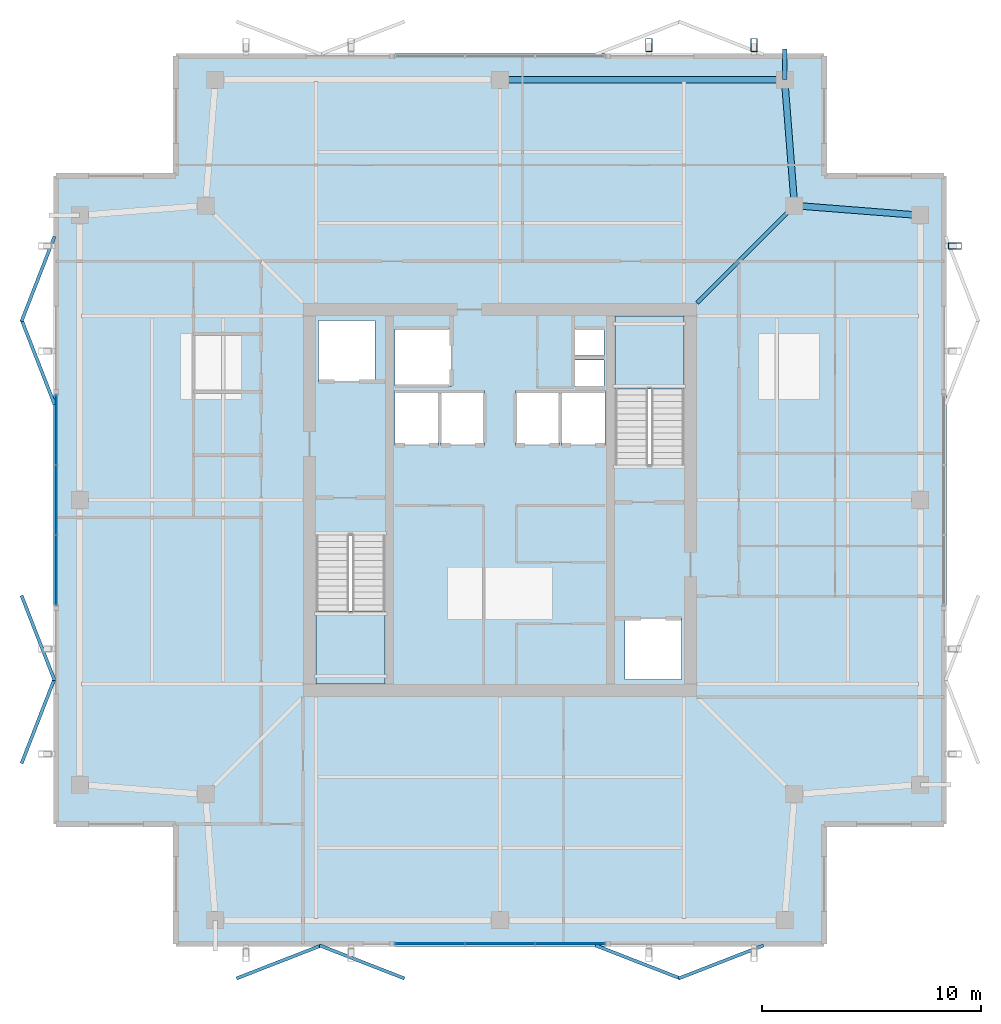
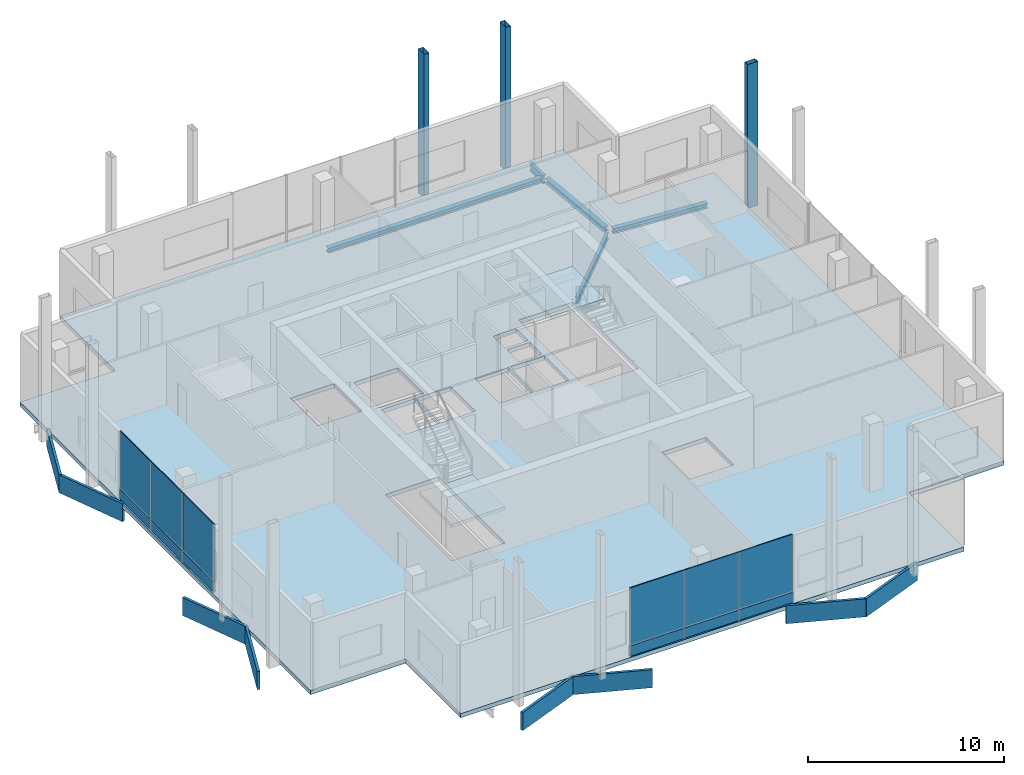
# One storey, part 10 of 15: 20 plates, 5 beams, 3 members, 3 slabs, 4 elements without a shape of their own.
"""IFC4 building model written with IfcOpenShell, lengths in metres."""

from ifc_helpers import new_model, si_unit, direction, frame, origin, origin_2d, place, context, subcontext, project, spatial, polyline, rectangle, hollow_rectangle, i_section, outline, extrude, material, layer, layer_set, material_profile, profile_set, type_object, element, aggregate, save


model = new_model("IFC4")

# Units and contexts
model_context = context("Model", 3, precision=1e-05, world=origin(), true_north=direction((0.0, 1.0)))
body_context = subcontext(model_context, "Body", "Model", "MODEL_VIEW")
ifc_project = project(units=[si_unit("LENGTHUNIT", "METRE"), si_unit("AREAUNIT", "SQUARE_METRE"), si_unit("VOLUMEUNIT", "CUBIC_METRE"), si_unit("PLANEANGLEUNIT", "RADIAN"), si_unit("MASSUNIT", "GRAM", prefix="KILO")], contexts=[model_context])

# Site, building, storey
site_placement = place(None, origin())
site = spatial("IfcSite", under=ifc_project, at=site_placement, CompositionType="ELEMENT")
building_placement = place(site_placement, origin())
building = spatial("IfcBuilding", under=site, at=building_placement, Name="Belovzor Exchange Tower", CompositionType="ELEMENT")
storey_placement = place(building_placement, frame((0.0, 0.0, 360.0)))
storey = spatial("IfcBuildingStorey", under=building, at=storey_placement, Name="L90", CompositionType="ELEMENT", Elevation=360.0)

# Beam
ifc_material_1 = material(Name="Steel S355", Category="steel")
ifc_material_profile_1 = material_profile(ifc_material_1, i_section(OverallWidth=0.199951171875, OverallDepth=0.5, WebThickness=0.01025390625, FlangeThickness=0.01611328125, at=origin_2d()))
ifc_profile_set_1 = profile_set([ifc_material_profile_1], Name="Steel S355")
beam_type_1 = type_object("IfcBeamType", Name="Planted Balcony Cantilever Beam IPE 500", PredefinedType="BEAM", material=ifc_profile_set_1)
beam_1_placement = place(storey_placement, frame((41.800048828125, 48.0, -0.510009765625), z_axis=(0.0, 1.0, 0.0), x_axis=(-1.0, 0.0, 0.0)))
element("IfcBeam", 1, at=beam_1_placement, inside=storey, type_object=beam_type_1, Name="BC-500 Planted Balcony Cantilever Beam IPE 500", PredefinedType="BEAM", context=body_context, shape_type="SweptSolid", body=[
    extrude(i_section(OverallWidth=0.199951171875, OverallDepth=0.5, WebThickness=0.01025390625, FlangeThickness=0.01611328125, at=origin_2d()), origin(), (0.0, 0.0, 1.0), 1.39990234375),
])

# Members
ifc_material_2 = material(Name="Extruded Architectural Terracotta on Steel S355 Carrier", Category="masonry")
ifc_material_profile_2 = material_profile(ifc_material_2, hollow_rectangle(XDim=0.300048828125, YDim=0.60009765625, WallThickness=0.01611328125, at=origin_2d()))
ifc_profile_set_2 = profile_set([ifc_material_profile_2], Name="Extruded Architectural Terracotta on Steel S355 Carrier")
member_type = type_object("IfcMemberType", Name="Upper Crown Terracotta Fin Assembly 550", PredefinedType="USERDEFINED", material=ifc_profile_set_2)
for number, where, z_axis, x_axis, name in (
    (2, (35.60009765625, 49.574951171875, -0.260009765625), (0.0, 0.0, 1.0), (1.0, 0.0, 0.0), "FIN-TC055 Terracotta Facade Fin L90 N3"),
    (3, (40.39990234375, 49.574951171875, -0.260009765625), (0.0, 0.0, 1.0), (1.0, 0.0, 0.0), "FIN-TC055 Terracotta Facade Fin L90 N4"),
    (4, (49.574951171875, 40.39990234375, -0.260009765625), (0.0, 0.0, 1.0), (0.0, 1.0, 0.0), "FIN-TC055 Terracotta Facade Fin L90 E4"),
):
    element("IfcMember", number, at=place(storey_placement, frame(where, z_axis=z_axis, x_axis=x_axis)), inside=storey, type_object=member_type, Name=name, ObjectType="FIN", PredefinedType="USERDEFINED", context=body_context, shape_type="SweptSolid", body=[
        extrude(hollow_rectangle(XDim=0.300048828125, YDim=0.60009765625, WallThickness=0.01611328125, at=origin_2d()), origin(), (0.0, 0.0, 1.0), 8.9599609375),
    ])

# Beams
ifc_material_3 = material(Name="Steel S355", Category="steel")
ifc_material_profile_3 = material_profile(ifc_material_3, i_section(OverallWidth=0.179931640625, OverallDepth=0.39990234375, WebThickness=0.008544921875, FlangeThickness=0.013427734375, at=origin_2d()))
ifc_profile_set_3 = profile_set([ifc_material_profile_3], Name="Steel S355")
beam_type_2 = type_object("IfcBeamType", Name="Zone 5-6 Radial Composite Floor Beam IPE 400", PredefinedType="BEAM", material=ifc_profile_set_3)
beam_2_placement = place(storey_placement, frame((37.800048828125, 37.800048828125, -0.4599609375), z_axis=(0.707106781187, 0.707106781187, 0.0), x_axis=(-0.707106781187, 0.707106781187, 0.0)))
element("IfcBeam", 5, at=beam_2_placement, inside=storey, type_object=beam_type_2, Name="FB-400 Zone 5-6 Radial Composite Floor Beam IPE 400", PredefinedType="BEAM", context=body_context, shape_type="SweptSolid", body=[
    extrude(i_section(OverallWidth=0.179931640625, OverallDepth=0.39990234375, WebThickness=0.008544921875, FlangeThickness=0.013427734375, at=origin_2d()), origin(), (0.0, 0.0, 1.0), 6.010498046875),
])
ifc_material_4 = material(Name="Steel S355", Category="steel")
ifc_material_profile_4 = material_profile(ifc_material_4, i_section(OverallWidth=0.300048828125, OverallDepth=0.300048828125, WebThickness=0.008544921875, FlangeThickness=0.013916015625, at=origin_2d()))
ifc_profile_set_4 = profile_set([ifc_material_profile_4], Name="Steel S355")
beam_type_3 = type_object("IfcBeamType", Name="Zone 6 Primary Girder HEA 300", PredefinedType="BEAM", material=ifc_profile_set_4)
for number, where, z_axis, x_axis, name in (
    (6, (47.781005859375, 41.81689453125, -0.409912109375), (-0.996947335625, 0.078076949164, 0.0), (-0.078076949164, -0.996947335625, 0.0), "FG-Z6 Zone 6 Primary Girder HEA 300"),
    (7, (42.23291015625, 42.468994140625, -0.409912109375), (-0.078076949164, 0.996947335625, 0.0), (-0.996947335625, -0.078076949164, 0.0), "FG-Z6 Zone 6 Primary Girder HEA 300"),
):
    element("IfcBeam", number, at=place(storey_placement, frame(where, z_axis=z_axis, x_axis=x_axis)), inside=storey, type_object=beam_type_3, Name=name, PredefinedType="BEAM", context=body_context, shape_type="SweptSolid", body=[
        extrude(i_section(OverallWidth=0.300048828125, OverallDepth=0.300048828125, WebThickness=0.008544921875, FlangeThickness=0.013916015625, at=origin_2d()), origin(), (0.0, 0.0, 1.0), 5.328369140625),
    ])
beam_3_placement = place(storey_placement, frame((41.580078125, 48.0, -0.409912109375), z_axis=(-1.0, 0.0, 0.0), x_axis=(0.0, -1.0, 0.0)))
element("IfcBeam", 8, at=beam_3_placement, inside=storey, type_object=beam_type_3, Name="FG-Z6 Zone 6 Primary Girder HEA 300", PredefinedType="BEAM", context=body_context, shape_type="SweptSolid", body=[
    extrude(i_section(OverallWidth=0.300048828125, OverallDepth=0.300048828125, WebThickness=0.008544921875, FlangeThickness=0.013916015625, at=origin_2d()), origin(), (0.0, 0.0, 1.0), 12.56005859375),
])

# Slab
ifc_material_5 = material(Name="Concrete C40/50", Category="concrete")
ifc_layer_1 = layer(ifc_material_5, 0.260009765625)
ifc_layer_set_1 = layer_set([ifc_layer_1], Name="Concrete C40/50")
slab_type_1 = type_object("IfcSlabType", Name="Composite Apex Gallery Floor Slab 260", PredefinedType="FLOOR", material=ifc_layer_set_1)
slab_1_placement = place(storey_placement, frame((0.0, 0.0, -0.260009765625)))
element("IfcSlab", 9, at=slab_1_placement, inside=storey, type_object=slab_type_1, Name="SL-F260 Structural Slab L90", PredefinedType="FLOOR", context=body_context, shape_type="SweptSolid", body=[
    extrude(outline(polyline([(14.0, 8.39990234375), (43.60009765625, 8.39990234375), (43.60009765625, 14.0), (49.199951171875, 14.0), (49.199951171875, 43.60009765625), (43.60009765625, 43.60009765625), (43.60009765625, 49.199951171875), (14.0, 49.199951171875), (14.0, 43.60009765625), (8.39990234375, 43.60009765625), (8.39990234375, 14.0), (14.0, 14.0), (14.0, 8.39990234375)]), holes=[polyline([(20.39990234375, 27.175048828125), (20.39990234375, 20.39990234375), (23.550048828125, 20.39990234375), (23.550048828125, 27.175048828125), (20.39990234375, 27.175048828125)]), polyline([(37.199951171875, 30.425048828125), (37.199951171875, 37.199951171875), (34.050048828125, 37.199951171875), (34.050048828125, 30.425048828125), (37.199951171875, 30.425048828125)]), polyline([(20.5, 34.199951171875), (23.10009765625, 34.199951171875), (23.10009765625, 37.0), (20.5, 37.0), (20.5, 34.199951171875)]), polyline([(34.5, 20.60009765625), (37.10009765625, 20.60009765625), (37.10009765625, 23.39990234375), (34.5, 23.39990234375), (34.5, 20.60009765625)]), polyline([(24.0, 34.0), (26.60009765625, 34.0), (26.60009765625, 36.60009765625), (24.0, 36.60009765625), (24.0, 34.0)]), polyline([(24.0, 31.300048828125), (26.0, 31.300048828125), (26.0, 33.800048828125), (24.0, 33.800048828125), (24.0, 31.300048828125)]), polyline([(26.10009765625, 31.300048828125), (28.10009765625, 31.300048828125), (28.10009765625, 33.800048828125), (26.10009765625, 33.800048828125), (26.10009765625, 31.300048828125)]), polyline([(29.5, 31.300048828125), (31.5, 31.300048828125), (31.5, 33.800048828125), (29.5, 33.800048828125), (29.5, 31.300048828125)]), polyline([(31.60009765625, 31.300048828125), (33.60009765625, 31.300048828125), (33.60009765625, 33.800048828125), (31.60009765625, 33.800048828125), (31.60009765625, 31.300048828125)]), polyline([(32.199951171875, 34.0), (33.550048828125, 34.0), (33.550048828125, 35.199951171875), (32.199951171875, 35.199951171875), (32.199951171875, 34.0)]), polyline([(32.199951171875, 35.39990234375), (33.550048828125, 35.39990234375), (33.550048828125, 36.60009765625), (32.199951171875, 36.60009765625), (32.199951171875, 35.39990234375)])]), origin(), (0.0, 0.0, 1.0), 0.260009765625),
])

# Curtain wall, plates
ifc_material_6 = material(Name="Anodised Aluminium Framing", Category="aluminium")
ifc_layer_2 = layer(ifc_material_6, 0.169921875)
ifc_layer_set_2 = layer_set([ifc_layer_2], Name="Anodised Aluminium Framing")
curtain_wall_type = type_object("IfcCurtainWallType", Name="Stepped Crown Faceted Lantern Curtain Wall", PredefinedType="NOTDEFINED", material=ifc_layer_set_2)
curtain_wall_1_placement = place(storey_placement, origin())
curtain_wall_1 = element("IfcCurtainWall", 10, at=curtain_wall_1_placement, inside=storey, type_object=curtain_wall_type, Name="CW6 Stepped Crown Faceted Lantern Curtain Wall L90", PredefinedType="NOTDEFINED")
ifc_material_7 = material(Name="Solar-Control Triple Glazing", Category="glass")
ifc_layer_3 = layer(ifc_material_7, 0.0439453125)
ifc_layer_set_3 = layer_set([ifc_layer_3], Name="Solar-Control Triple Glazing")
plate_type_1 = type_object("IfcPlateType", Name="Insulated Solar Glazing Curtain Panel 44", PredefinedType="CURTAIN_PANEL", material=ifc_layer_set_3)
plate_1_placement = place(storey_placement, frame((32.0, 8.530029296875, 0.652099609375), z_axis=(0.0, 0.0, 1.0), x_axis=(-1.0, 0.0, 0.0)))
plate_1 = element("IfcPlate", 11, at=plate_1_placement, type_object=plate_type_1, Name="GLZ-44 Glazed Curtain Panel 1", PredefinedType="CURTAIN_PANEL", context=body_context, shape_type="SweptSolid", body=[
    extrude(rectangle(XDim=3.18408203125, YDim=0.0439453125, at=origin_2d()), origin(), (0.0, 0.0, 1.0), 3.587890625),
])
plate_2_placement = place(storey_placement, frame((28.800048828125, 8.530029296875, 0.652099609375), z_axis=(0.0, 0.0, 1.0), x_axis=(-1.0, 0.0, 0.0)))
plate_2 = element("IfcPlate", 12, at=plate_2_placement, type_object=plate_type_1, Name="GLZ-44 Glazed Curtain Panel 2", PredefinedType="CURTAIN_PANEL", context=body_context, shape_type="SweptSolid", body=[
    extrude(rectangle(XDim=3.18408203125, YDim=0.0439453125, at=origin_2d()), origin(), (0.0, 0.0, 1.0), 3.587890625),
])
plate_3_placement = place(storey_placement, frame((25.60009765625, 8.530029296875, 0.652099609375), z_axis=(0.0, 0.0, 1.0), x_axis=(-1.0, 0.0, 0.0)))
plate_3 = element("IfcPlate", 13, at=plate_3_placement, type_object=plate_type_1, Name="GLZ-44 Glazed Curtain Panel 3", PredefinedType="CURTAIN_PANEL", context=body_context, shape_type="SweptSolid", body=[
    extrude(rectangle(XDim=3.18408203125, YDim=0.0439453125, at=origin_2d()), origin(), (0.0, 0.0, 1.0), 3.587890625),
])

curtain_wall_2_placement = place(storey_placement, origin())
curtain_wall_2 = element("IfcCurtainWall", 14, at=curtain_wall_2_placement, inside=storey, type_object=curtain_wall_type, Name="CW6 Stepped Crown Faceted Lantern Curtain Wall L90", PredefinedType="NOTDEFINED")
plate_4_placement = place(storey_placement, frame((8.530029296875, 25.60009765625, 0.652099609375), z_axis=(0.0, 0.0, 1.0), x_axis=(0.0, 1.0, 0.0)))
plate_4 = element("IfcPlate", 15, at=plate_4_placement, type_object=plate_type_1, Name="GLZ-44 Glazed Curtain Panel 1", PredefinedType="CURTAIN_PANEL", context=body_context, shape_type="SweptSolid", body=[
    extrude(rectangle(XDim=3.18408203125, YDim=0.0439453125, at=origin_2d()), origin(), (0.0, 0.0, 1.0), 3.587890625),
])
plate_5_placement = place(storey_placement, frame((8.530029296875, 28.800048828125, 0.652099609375), z_axis=(0.0, 0.0, 1.0), x_axis=(0.0, 1.0, 0.0)))
plate_5 = element("IfcPlate", 16, at=plate_5_placement, type_object=plate_type_1, Name="GLZ-44 Glazed Curtain Panel 2", PredefinedType="CURTAIN_PANEL", context=body_context, shape_type="SweptSolid", body=[
    extrude(rectangle(XDim=3.18408203125, YDim=0.0439453125, at=origin_2d()), origin(), (0.0, 0.0, 1.0), 3.587890625),
])
plate_6_placement = place(storey_placement, frame((8.530029296875, 32.0, 0.652099609375), z_axis=(0.0, 0.0, 1.0), x_axis=(0.0, 1.0, 0.0)))
plate_6 = element("IfcPlate", 17, at=plate_6_placement, type_object=plate_type_1, Name="GLZ-44 Glazed Curtain Panel 3", PredefinedType="CURTAIN_PANEL", context=body_context, shape_type="SweptSolid", body=[
    extrude(rectangle(XDim=3.18408203125, YDim=0.0439453125, at=origin_2d()), origin(), (0.0, 0.0, 1.0), 3.587890625),
])

# Stair, slab
ifc_material_8 = material(Name="Concrete C40/50", Category="concrete")
stair_type = type_object("IfcStairType", Name="Reinforced Concrete Dogleg Escape Stair 1350", PredefinedType="HALF_TURN_STAIR", material=ifc_material_8)
stair_1_placement = place(storey_placement, origin())
stair_1 = element("IfcStair", 18, at=stair_1_placement, inside=storey, type_object=stair_type, Name="L90 ST-1", PredefinedType="HALF_TURN_STAIR")
ifc_material_9 = material(Name="Concrete C40/50", Category="concrete")
ifc_layer_4 = layer(ifc_material_9, 0.199951171875)
ifc_layer_set_4 = layer_set([ifc_layer_4], Name="Concrete C40/50")
slab_type_2 = type_object("IfcSlabType", Name="Reinforced Concrete Stair Half-Landing Slab 200", PredefinedType="LANDING", material=ifc_layer_set_4)
slab_2_placement = place(storey_placement, frame((0.0, 0.0, 2.050048828125)))
slab_2 = element("IfcSlab", 19, at=slab_2_placement, type_object=slab_type_2, Name="ST-1 landing 1", PredefinedType="LANDING", context=body_context, shape_type="SweptSolid", body=[
    extrude(outline(polyline([(20.39990234375, 23.719970703125), (20.39990234375, 20.39990234375), (23.550048828125, 20.39990234375), (23.550048828125, 23.719970703125), (20.39990234375, 23.719970703125)])), origin(), (0.0, 0.0, 1.0), 0.199951171875),
])
aggregate(stair_1, [slab_2])

stair_2_placement = place(storey_placement, origin())
stair_2 = element("IfcStair", 20, at=stair_2_placement, inside=storey, type_object=stair_type, Name="L90 ST-2", PredefinedType="HALF_TURN_STAIR")
slab_3_placement = place(storey_placement, frame((0.0, 0.0, 2.050048828125)))
slab_3 = element("IfcSlab", 21, at=slab_3_placement, type_object=slab_type_2, Name="ST-2 landing 1", PredefinedType="LANDING", context=body_context, shape_type="SweptSolid", body=[
    extrude(outline(polyline([(37.199951171875, 33.8798828125), (37.199951171875, 37.199951171875), (34.050048828125, 37.199951171875), (34.050048828125, 33.8798828125), (37.199951171875, 33.8798828125)])), origin(), (0.0, 0.0, 1.0), 0.199951171875),
])
aggregate(stair_2, [slab_3])

# Plate
ifc_material_10 = material(Name="Extruded Architectural Terracotta", Category="masonry")
ifc_layer_5 = layer(ifc_material_10, 0.090087890625)
ifc_layer_set_5 = layer_set([ifc_layer_5], Name="Extruded Architectural Terracotta")
plate_type_2 = type_object("IfcPlateType", Name="Terracotta Shadow-Box Spandrel Panel 90", PredefinedType="CURTAIN_PANEL", material=ifc_layer_set_5)
plate_7_placement = place(storey_placement, frame((32.0, 8.530029296875, 0.0), z_axis=(0.0, 0.0, 1.0), x_axis=(-1.0, 0.0, 0.0)))
plate_7 = element("IfcPlate", 22, at=plate_7_placement, type_object=plate_type_2, Name="SPD-90 Spandrel Panel 1", PredefinedType="CURTAIN_PANEL", context=body_context, shape_type="SweptSolid", body=[
    extrude(rectangle(XDim=3.18408203125, YDim=0.090087890625, at=origin_2d()), origin(), (0.0, 0.0, 1.0), 0.64794921875),
])

plate_8_placement = place(storey_placement, frame((28.800048828125, 8.530029296875, 0.0), z_axis=(0.0, 0.0, 1.0), x_axis=(-1.0, 0.0, 0.0)))
plate_8 = element("IfcPlate", 23, at=plate_8_placement, type_object=plate_type_2, Name="SPD-90 Spandrel Panel 2", PredefinedType="CURTAIN_PANEL", context=body_context, shape_type="SweptSolid", body=[
    extrude(rectangle(XDim=3.18408203125, YDim=0.090087890625, at=origin_2d()), origin(), (0.0, 0.0, 1.0), 0.64794921875),
])

plate_9_placement = place(storey_placement, frame((25.60009765625, 8.530029296875, 0.0), z_axis=(0.0, 0.0, 1.0), x_axis=(-1.0, 0.0, 0.0)))
plate_9 = element("IfcPlate", 24, at=plate_9_placement, type_object=plate_type_2, Name="SPD-90 Spandrel Panel 3", PredefinedType="CURTAIN_PANEL", context=body_context, shape_type="SweptSolid", body=[
    extrude(rectangle(XDim=3.18408203125, YDim=0.090087890625, at=origin_2d()), origin(), (0.0, 0.0, 1.0), 0.64794921875),
])

aggregate(curtain_wall_1, [plate_7, plate_1, plate_8, plate_2, plate_9, plate_3])

plate_10_placement = place(storey_placement, frame((8.530029296875, 25.60009765625, 0.0), z_axis=(0.0, 0.0, 1.0), x_axis=(0.0, 1.0, 0.0)))
plate_10 = element("IfcPlate", 25, at=plate_10_placement, type_object=plate_type_2, Name="SPD-90 Spandrel Panel 1", PredefinedType="CURTAIN_PANEL", context=body_context, shape_type="SweptSolid", body=[
    extrude(rectangle(XDim=3.18408203125, YDim=0.090087890625, at=origin_2d()), origin(), (0.0, 0.0, 1.0), 0.64794921875),
])

plate_11_placement = place(storey_placement, frame((8.530029296875, 28.800048828125, 0.0), z_axis=(0.0, 0.0, 1.0), x_axis=(0.0, 1.0, 0.0)))
plate_11 = element("IfcPlate", 26, at=plate_11_placement, type_object=plate_type_2, Name="SPD-90 Spandrel Panel 2", PredefinedType="CURTAIN_PANEL", context=body_context, shape_type="SweptSolid", body=[
    extrude(rectangle(XDim=3.18408203125, YDim=0.090087890625, at=origin_2d()), origin(), (0.0, 0.0, 1.0), 0.64794921875),
])

plate_12_placement = place(storey_placement, frame((8.530029296875, 32.0, 0.0), z_axis=(0.0, 0.0, 1.0), x_axis=(0.0, 1.0, 0.0)))
plate_12 = element("IfcPlate", 27, at=plate_12_placement, type_object=plate_type_2, Name="SPD-90 Spandrel Panel 3", PredefinedType="CURTAIN_PANEL", context=body_context, shape_type="SweptSolid", body=[
    extrude(rectangle(XDim=3.18408203125, YDim=0.090087890625, at=origin_2d()), origin(), (0.0, 0.0, 1.0), 0.64794921875),
])

aggregate(curtain_wall_2, [plate_10, plate_4, plate_11, plate_5, plate_12, plate_6])

# Plates
ifc_material_11 = material(Name="Extruded Architectural Terracotta", Category="masonry")
ifc_layer_6 = layer(ifc_material_11, 0.14990234375)
ifc_layer_set_6 = layer_set([ifc_layer_6], Name="Extruded Architectural Terracotta")
plate_type_3 = type_object("IfcPlateType", Name="Upper-Crown Deep Folded Zigzag Terracotta Spandrel Louvre 150", PredefinedType="USERDEFINED", material=ifc_layer_set_6)
for number, where, z_axis, x_axis, name in (
    (28, (18.699951171875, 7.699951171875, -1.10498046875), (0.0, 0.0, 1.0), (0.931817969421, 0.362925986758, 0.0), "LVR-ZZ3 Zigzag Terracotta Spandrel Louvre L90 S1A"),
    (29, (22.5, 7.699951171875, -1.10498046875), (0.0, 0.0, 1.0), (0.931817969421, -0.362925986758, 0.0), "LVR-ZZ3 Zigzag Terracotta Spandrel Louvre L90 S1B"),
    (30, (7.699951171875, 18.699951171875, -1.10498046875), (0.0, 0.0, 1.0), (0.362925986758, 0.931817969421, 0.0), "LVR-ZZ3 Zigzag Terracotta Spandrel Louvre L90 W1A"),
    (31, (7.699951171875, 22.5, -1.10498046875), (0.0, 0.0, 1.0), (-0.362925986758, 0.931817969421, 0.0), "LVR-ZZ3 Zigzag Terracotta Spandrel Louvre L90 W1B"),
    (32, (35.10009765625, 7.699951171875, -1.10498046875), (0.0, 0.0, 1.0), (0.931817969421, -0.362925986758, 0.0), "LVR-ZZ3 Zigzag Terracotta Spandrel Louvre L90 S2A"),
    (33, (38.89990234375, 7.699951171875, -1.10498046875), (0.0, 0.0, 1.0), (0.931817969421, 0.362925986758, 0.0), "LVR-ZZ3 Zigzag Terracotta Spandrel Louvre L90 S2B"),
    (34, (7.699951171875, 35.10009765625, -1.10498046875), (0.0, 0.0, 1.0), (-0.362925986758, 0.931817969421, 0.0), "LVR-ZZ3 Zigzag Terracotta Spandrel Louvre L90 W2A"),
    (35, (7.699951171875, 38.89990234375, -1.10498046875), (0.0, 0.0, 1.0), (0.362925986758, 0.931817969421, 0.0), "LVR-ZZ3 Zigzag Terracotta Spandrel Louvre L90 W2B"),
):
    element("IfcPlate", number, at=place(storey_placement, frame(where, z_axis=z_axis, x_axis=x_axis)), inside=storey, type_object=plate_type_3, Name=name, ObjectType="SPANDREL_LOUVRE", PredefinedType="USERDEFINED", context=body_context, shape_type="SweptSolid", body=[
        extrude(rectangle(XDim=4.157958984375, YDim=0.14990234375, at=origin_2d()), origin(), (0.0, 0.0, 1.0), 1.1201171875),
    ])

save(model, "model.ifc")
